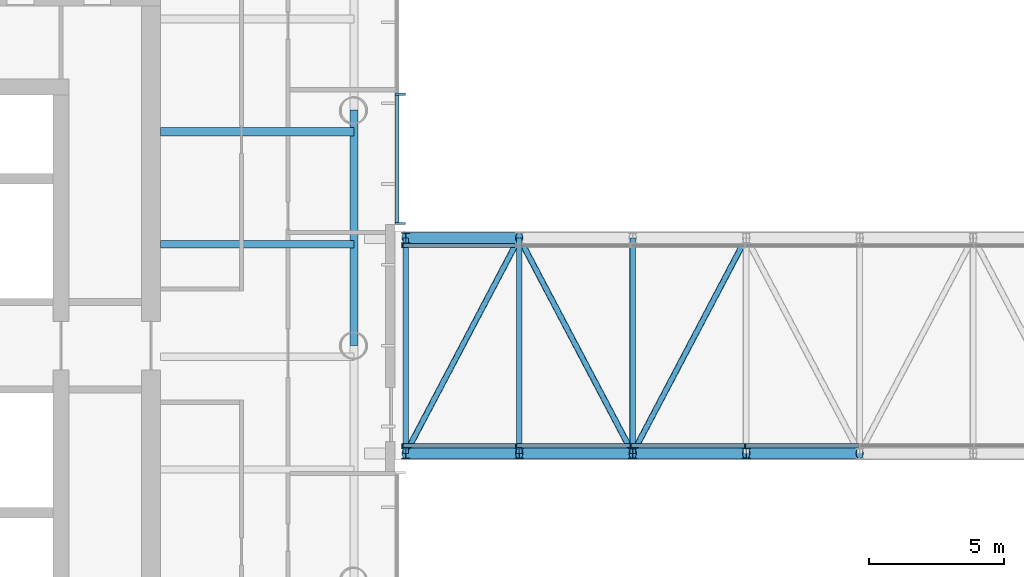
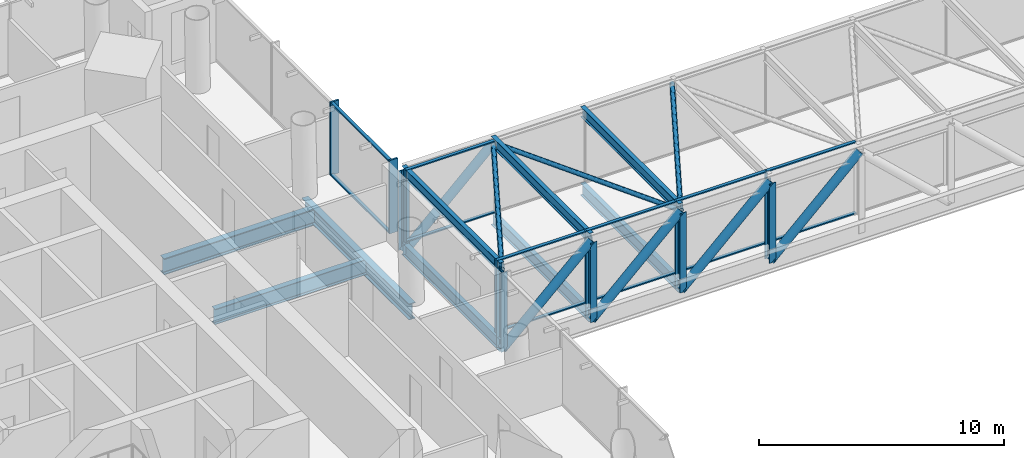
# One storey, part 3 of 19: 32 members, 9 beams, 3 elements without a shape of their own.
"""IFC4 building model written with IfcOpenShell, lengths in metres."""

import ifcopenshell
import ifcopenshell.guid

model = None  # the IFC model being written
_history = None  # IfcOwnerHistory: only IFC2X3 demands one
_inside = {}  # id of a spatial element -> (the spatial element, [elements in it])
_under = {}  # id of a project, library or spatial element -> (it, [spatial elements below it])
_declared = {}  # id of a project -> (the project, [libraries it declares])
_typed = {}  # id of a type object -> (the type object, [elements of that type])
_made_of = {}  # id of a material, layer set ... -> (it, [elements and type objects made of it])


def new_model(schema):
    """Start an empty IFC model of exactly this schema.

    Asked for "IFC4X3", IfcOpenShell would pick the latest addendum, in which some entities
    have other attributes; the version numbers below select the first issue.
    IFC2X3 requires an IfcOwnerHistory on every rooted entity: one is made here for all.
    """
    global model, _history
    if schema == "IFC4X3":
        model = ifcopenshell.file(schema_version=(4, 3, 0, 0))
    else:
        model = ifcopenshell.file(schema=schema)
    _inside.clear()
    _under.clear()
    _declared.clear()
    _typed.clear()
    _made_of.clear()
    _history = None
    if model.schema == "IFC2X3":
        org = make("IfcOrganization", Name="unknown")
        user = make(
            "IfcPersonAndOrganization",
            ThePerson=make("IfcPerson", FamilyName="unknown"),
            TheOrganization=org,
        )
        app = make(
            "IfcApplication",
            ApplicationDeveloper=org,
            Version="unknown",
            ApplicationFullName="unknown",
            ApplicationIdentifier="unknown",
        )
        _history = make(
            "IfcOwnerHistory",
            OwningUser=user,
            OwningApplication=app,
            ChangeAction="ADDED",
            CreationDate=0,
        )
    return model


def make(cls, **values):
    """One entity of the class cls with the attributes given. An attribute that is None is left unset."""
    return model.create_entity(
        cls, **{name: value for name, value in values.items() if value is not None}
    )


def rooted(cls, **values):
    """An entity with a GlobalId (a new one), such as an element, a storey or a relation."""
    return make(cls, GlobalId=ifcopenshell.guid.new(), OwnerHistory=_history, **values)


def si_unit(unit_type, name, prefix=None):
    """IfcSIUnit, for example si_unit("LENGTHUNIT", "METRE", prefix="MILLI")."""
    return make("IfcSIUnit", UnitType=unit_type, Prefix=prefix, Name=name)


def assignment(units):
    """IfcUnitAssignment: the units of a project."""
    return None if units is None else make("IfcUnitAssignment", Units=units)


def point(xyz):
    """IfcCartesianPoint."""
    return None if xyz is None else make("IfcCartesianPoint", Coordinates=xyz)


def direction(xyz):
    """IfcDirection."""
    return None if xyz is None else make("IfcDirection", DirectionRatios=xyz)


def frame(location, z_axis=None, x_axis=None):
    """IfcAxis2Placement3D, a coordinate frame: its origin and axes. An axis left out is left unset."""
    return make(
        "IfcAxis2Placement3D",
        Location=point(location),
        Axis=direction(z_axis),
        RefDirection=direction(x_axis),
    )


def frame_2d(location, x_axis=None):
    """IfcAxis2Placement2D, a coordinate frame in the plane: its origin and x axis."""
    return make(
        "IfcAxis2Placement2D", Location=point(location), RefDirection=direction(x_axis)
    )


def origin():
    """The frame at (0, 0, 0) with its axes left unset."""
    return frame((0.0, 0.0, 0.0))


def origin_2d():
    """The frame at (0, 0) in the plane with its x axis left unset."""
    return frame_2d((0.0, 0.0))


def place(relative_to, where):
    """IfcLocalPlacement: puts the frame where relative to a parent placement (None: the world)."""
    return make(
        "IfcLocalPlacement", PlacementRelTo=relative_to, RelativePlacement=where
    )


def context(
    kind, dimensions, precision=None, world=None, true_north=None, identifier=None
):
    """IfcGeometricRepresentationContext, for example the 3D "Model" context."""
    return make(
        "IfcGeometricRepresentationContext",
        ContextIdentifier=identifier,
        ContextType=kind,
        CoordinateSpaceDimension=dimensions,
        Precision=precision,
        WorldCoordinateSystem=world,
        TrueNorth=true_north,
    )


def subcontext(parent, identifier, kind, view, scale=None):
    """IfcGeometricRepresentationSubContext, for example "Body" below "Model"."""
    return make(
        "IfcGeometricRepresentationSubContext",
        ContextIdentifier=identifier,
        ContextType=kind,
        ParentContext=parent,
        TargetScale=scale,
        TargetView=view,
    )


def project(units=None, contexts=None):
    """IfcProject with its units and contexts."""
    return rooted(
        "IfcProject",
        Name="project",
        RepresentationContexts=contexts,
        UnitsInContext=assignment(units),
    )


def spatial(cls, under=None, at=None, **own):
    """A site, building, storey or space (cls), placed at a placement, below another one or the project."""
    s = rooted(cls, ObjectPlacement=at, **own)
    if under is not None:
        _under.setdefault(under.id(), (under, []))[1].append(s)
    return s


def profile(cls, at=None, kind="AREA", **sizes):
    """A parametric profile (cls). Its sizes go by their IFC names, for example OverallWidth=200.0."""
    return make(cls, ProfileType=kind, Position=at, **sizes)


def rectangle(**sizes):
    """IfcRectangleProfileDef."""
    return profile("IfcRectangleProfileDef", **sizes)


def hollow_circle(**sizes):
    """IfcCircleHollowProfileDef."""
    return profile("IfcCircleHollowProfileDef", **sizes)


def i_section(**sizes):
    """IfcIShapeProfileDef."""
    return profile("IfcIShapeProfileDef", **sizes)


def extrude(swept, where, along, depth):
    """IfcExtrudedAreaSolid: the profile swept, set in the frame where, extruded along a direction by depth."""
    return make(
        "IfcExtrudedAreaSolid",
        SweptArea=swept,
        Position=where,
        ExtrudedDirection=direction(along),
        Depth=depth,
    )


def shape(context_of_items, identifier, shape_type, items):
    """IfcShapeRepresentation: the items that make up one representation, for example the "Body"."""
    return make(
        "IfcShapeRepresentation",
        ContextOfItems=context_of_items,
        RepresentationIdentifier=identifier,
        RepresentationType=shape_type,
        Items=items,
    )


def material(Name=None, Category=None):
    """IfcMaterial."""
    return make("IfcMaterial", Name=Name, Category=Category)


def material_profile(
    of_material, cross_section, Name=None, Category=None, Priority=None
):
    """IfcMaterialProfile: a cross section and its material."""
    return make(
        "IfcMaterialProfile",
        Name=Name,
        Material=of_material,
        Profile=cross_section,
        Priority=Priority,
        Category=Category,
    )


def profile_set(profiles, Name=None, composite=None):
    """IfcMaterialProfileSet."""
    return make(
        "IfcMaterialProfileSet",
        Name=Name,
        MaterialProfiles=profiles,
        CompositeProfile=composite,
    )


def made_of(thing, what):
    """Note that an element or type object is made of a material, layer set ...; save() writes the relation."""
    if what is not None:
        _made_of.setdefault(what.id(), (what, []))[1].append(thing)
    return thing


def type_object(cls, material=None, **own):
    """A type object (cls), such as IfcWallType, which elements share."""
    return made_of(rooted(cls, **own), material)


def element(
    cls,
    number,
    at=None,
    inside=None,
    cuts=None,
    type_object=None,
    material=None,
    context=None,
    identifier="Body",
    shape_type=None,
    held_by="IfcProductDefinitionShape",
    body=None,
    shapes=None,
    **own,
):
    """One element of the class cls, such as IfcWall. Its Tag is "e" and its number.

    at: its placement. inside: the storey or other place that contains it. cuts: it is an
    opening in that element (IfcRelVoidsElement). A single representation is given by context,
    identifier, shape_type and body (its items); several are given by shapes. held_by: the class
    of the entity that holds the representations. save() writes the other relations.
    """
    e = rooted(cls, Tag="e%d" % number, ObjectPlacement=at, **own)
    if body is not None:
        shapes = [shape(context, identifier, shape_type, body)]
    if shapes is not None:
        e.Representation = make(held_by, Representations=shapes)
    if inside is not None:
        _inside.setdefault(inside.id(), (inside, []))[1].append(e)
    if cuts is not None:
        rooted(
            "IfcRelVoidsElement", RelatingBuildingElement=cuts, RelatedOpeningElement=e
        )
    if type_object is not None:
        _typed.setdefault(type_object.id(), (type_object, []))[1].append(e)
    return made_of(e, material)


def aggregate(whole, parts):
    """IfcRelAggregates: a whole, such as a stair, and the parts it consists of."""
    return rooted("IfcRelAggregates", RelatingObject=whole, RelatedObjects=parts)


def save(model, path):
    """Write the relations noted so far, then the file.

    IfcRelAggregates (storeys below a building ...), IfcRelContainedInSpatialStructure (elements
    in a storey), IfcRelDefinesByType, IfcRelAssociatesMaterial and IfcRelDeclares: one each for
    every whole, place, type object, material and project.
    """
    for whole, parts in _under.values():
        aggregate(whole, parts)
    for where, things in _inside.values():
        rooted(
            "IfcRelContainedInSpatialStructure",
            RelatedElements=things,
            RelatingStructure=where,
        )
    for kind, things in _typed.values():
        rooted("IfcRelDefinesByType", RelatedObjects=things, RelatingType=kind)
    for what, things in _made_of.values():
        rooted("IfcRelAssociatesMaterial", RelatedObjects=things, RelatingMaterial=what)
    for by, libraries in _declared.values():
        rooted("IfcRelDeclares", RelatingContext=by, RelatedDefinitions=libraries)
    model.write(path)


model = new_model("IFC4")

# Units and contexts
model_context = context("Model", 3, precision=1e-05, world=origin(), true_north=direction((0.0, 1.0)))
body_context = subcontext(model_context, "Body", "Model", "MODEL_VIEW")
ifc_project = project(units=[si_unit("LENGTHUNIT", "METRE"), si_unit("AREAUNIT", "SQUARE_METRE"), si_unit("VOLUMEUNIT", "CUBIC_METRE"), si_unit("PLANEANGLEUNIT", "RADIAN"), si_unit("MASSUNIT", "GRAM", prefix="KILO")], contexts=[model_context])

# Site, building, storey
site_placement = place(None, origin())
site = spatial("IfcSite", under=ifc_project, at=site_placement, CompositionType="ELEMENT")
building_placement = place(site_placement, origin())
building = spatial("IfcBuilding", under=site, at=building_placement, Name="Ostroluk Exchange", CompositionType="ELEMENT")
storey_placement = place(building_placement, frame((0.0, 0.0, 131.199951171875)))
storey = spatial("IfcBuildingStorey", under=building, at=storey_placement, Name="L33", CompositionType="ELEMENT", Elevation=131.199951171875)

# Beams
ifc_material_1 = material(Name="Steel S355", Category="steel")
ifc_material_profile_1 = material_profile(ifc_material_1, i_section(OverallWidth=0.199951171875, OverallDepth=0.5, WebThickness=0.01025390625, FlangeThickness=0.01611328125, FilletRadius=0.02099609375, at=origin_2d()), Name="IPE 500")
ifc_profile_set_1 = profile_set([ifc_material_profile_1], Name="Steel S355")
beam_type_1 = type_object("IfcBeamType", Name="Bridge cross beam IPE 500", PredefinedType="BEAM", material=ifc_profile_set_1)
for number, where, z_axis, x_axis, name in (
    (1, (67.39990234375, 42.0, 3.35009765625), (0.0, 1.0, 0.0), (-1.0, 0.0, 0.0), "BR2 roof cross beam 1"),
    (2, (71.612548828125, 42.0, 3.35009765625), (0.0, 1.0, 0.0), (-1.0, 0.0, 0.0), "BR2 roof cross beam 2"),
    (3, (75.824951171875, 42.0, 3.35009765625), (0.0, 1.0, 0.0), (-1.0, 0.0, 0.0), "BR2 roof cross beam 3"),
):
    element("IfcBeam", number, at=place(storey_placement, frame(where, z_axis=z_axis, x_axis=x_axis)), inside=storey, type_object=beam_type_1, Name=name, PredefinedType="BEAM", context=body_context, shape_type="SweptSolid", body=[
        extrude(i_section(OverallWidth=0.199951171875, OverallDepth=0.5, WebThickness=0.01025390625, FlangeThickness=0.01611328125, FilletRadius=0.02099609375, at=origin_2d()), origin(), (0.0, 0.0, 1.0), 8.0),
    ])
ifc_material_2 = material(Name="Steel S355", Category="steel")
ifc_material_profile_2 = material_profile(ifc_material_2, i_section(OverallWidth=0.219970703125, OverallDepth=0.60009765625, WebThickness=0.011962890625, FlangeThickness=0.01904296875, FilletRadius=0.02392578125, at=origin_2d()), Name="IPE 600")
ifc_profile_set_2 = profile_set([ifc_material_profile_2], Name="Steel S355")
beam_type_2 = type_object("IfcBeamType", Name="Bridge cross beam IPE 600", PredefinedType="BEAM", material=ifc_profile_set_2)
for number, where, z_axis, x_axis, name in (
    (4, (67.39990234375, 42.0, -0.5), (0.0, 1.0, 0.0), (-1.0, 0.0, 0.0), "BR2 deck cross beam 1"),
    (5, (71.612548828125, 42.0, -0.5), (0.0, 1.0, 0.0), (-1.0, 0.0, 0.0), "BR2 deck cross beam 2"),
    (6, (75.824951171875, 42.0, -0.5), (0.0, 1.0, 0.0), (-1.0, 0.0, 0.0), "BR2 deck cross beam 3"),
):
    element("IfcBeam", number, at=place(storey_placement, frame(where, z_axis=z_axis, x_axis=x_axis)), inside=storey, type_object=beam_type_2, Name=name, PredefinedType="BEAM", context=body_context, shape_type="SweptSolid", body=[
        extrude(i_section(OverallWidth=0.219970703125, OverallDepth=0.60009765625, WebThickness=0.011962890625, FlangeThickness=0.01904296875, FilletRadius=0.02392578125, at=origin_2d()), origin(), (0.0, 0.0, 1.0), 8.0),
    ])

# Curtain wall, members
ifc_material_3 = material(Name="Laminated clear glass", Category="glass")
curtain_wall_type_1 = type_object("IfcCurtainWallType", Name="Bridge glazing", PredefinedType="USERDEFINED", material=ifc_material_3)
curtain_wall_1_placement = place(storey_placement, origin())
curtain_wall_1 = element("IfcCurtainWall", 7, at=curtain_wall_1_placement, inside=storey, type_object=curtain_wall_type_1, Name="Sky garden bridge south glazing", ObjectType="STICK CURTAIN WALL", PredefinedType="USERDEFINED")
ifc_material_4 = material(Name="Aluminium mullion", Category="aluminium")
ifc_material_profile_3 = material_profile(ifc_material_4, rectangle(XDim=0.14990234375, YDim=0.06005859375, at=origin_2d()), Name="Bridge mullion 60 x 150")
ifc_profile_set_3 = profile_set([ifc_material_profile_3], Name="Aluminium mullion")
member_type_1 = type_object("IfcMemberType", Name="Bridge mullion 60 x 150", PredefinedType="MULLION", material=ifc_profile_set_3)
member_1_placement = place(storey_placement, frame((67.280029296875, 42.2900390625, 0.0), z_axis=(0.0, 0.0, 1.0), x_axis=(0.0, 1.0, 0.0)))
member_1 = element("IfcMember", 8, at=member_1_placement, type_object=member_type_1, Name="CW-BR1 mullion 1", PredefinedType="MULLION", context=body_context, shape_type="SweptSolid", body=[
    extrude(rectangle(XDim=0.14990234375, YDim=0.06005859375, at=origin_2d()), origin(), (0.0, 0.0, 1.0), 3.60009765625),
])
member_2_placement = place(storey_placement, frame((71.5, 42.2900390625, 0.0), z_axis=(0.0, 0.0, 1.0), x_axis=(0.0, 1.0, 0.0)))
member_2 = element("IfcMember", 9, at=member_2_placement, type_object=member_type_1, Name="CW-BR1 mullion 2", PredefinedType="MULLION", context=body_context, shape_type="SweptSolid", body=[
    extrude(rectangle(XDim=0.14990234375, YDim=0.06005859375, at=origin_2d()), origin(), (0.0, 0.0, 1.0), 3.60009765625),
])
member_3_placement = place(storey_placement, frame((75.75, 42.2900390625, 0.0), z_axis=(0.0, 0.0, 1.0), x_axis=(0.0, 1.0, 0.0)))
member_3 = element("IfcMember", 10, at=member_3_placement, type_object=member_type_1, Name="CW-BR1 mullion 3", PredefinedType="MULLION", context=body_context, shape_type="SweptSolid", body=[
    extrude(rectangle(XDim=0.14990234375, YDim=0.06005859375, at=origin_2d()), origin(), (0.0, 0.0, 1.0), 3.60009765625),
])
member_4_placement = place(storey_placement, frame((80.0, 42.2900390625, 0.0), z_axis=(0.0, 0.0, 1.0), x_axis=(0.0, 1.0, 0.0)))
member_4 = element("IfcMember", 11, at=member_4_placement, type_object=member_type_1, Name="CW-BR1 mullion 4", PredefinedType="MULLION", context=body_context, shape_type="SweptSolid", body=[
    extrude(rectangle(XDim=0.14990234375, YDim=0.06005859375, at=origin_2d()), origin(), (0.0, 0.0, 1.0), 3.60009765625),
])

# Curtain wall, member
curtain_wall_2_placement = place(storey_placement, origin())
curtain_wall_2 = element("IfcCurtainWall", 12, at=curtain_wall_2_placement, inside=storey, type_object=curtain_wall_type_1, Name="Sky garden bridge north glazing", ObjectType="STICK CURTAIN WALL", PredefinedType="USERDEFINED")
member_5_placement = place(storey_placement, frame((67.280029296875, 49.7099609375, 0.0), z_axis=(0.0, 0.0, 1.0), x_axis=(0.0, -1.0, 0.0)))
member_5 = element("IfcMember", 13, at=member_5_placement, type_object=member_type_1, Name="CW-BR1 mullion 9", PredefinedType="MULLION", context=body_context, shape_type="SweptSolid", body=[
    extrude(rectangle(XDim=0.14990234375, YDim=0.06005859375, at=origin_2d()), origin(), (0.0, 0.0, 1.0), 3.60009765625),
])

# Members
ifc_material_5 = material(Name="Steel S460", Category="steel")
ifc_material_profile_4 = material_profile(ifc_material_5, hollow_circle(Radius=0.109619140625, WallThickness=0.010009765625, at=origin_2d()), Name="CHS 219.1x10")
ifc_profile_set_4 = profile_set([ifc_material_profile_4], Name="Steel S460")
member_type_2 = type_object("IfcMemberType", Name="Bridge plan bracing CHS 219.1x10", PredefinedType="BRACE", material=ifc_profile_set_4)
for number, where, z_axis, x_axis, name in (
    (14, (67.39990234375, 42.0, 3.25), (0.465930052274, 0.88482155624, 0.0), (-0.88482155624, 0.465930052274, 0.0), "BR2 roof plan brace 1"),
    (15, (71.612548828125, 50.0, 3.25), (0.465908911283, -0.884832688358, 0.0), (0.884832688358, 0.465908911283, 0.0), "BR2 roof plan brace 2"),
    (16, (75.824951171875, 42.0, 3.25), (0.465930052274, 0.88482155624, 0.0), (-0.88482155624, 0.465930052274, 0.0), "BR2 roof plan brace 3"),
):
    element("IfcMember", number, at=place(storey_placement, frame(where, z_axis=z_axis, x_axis=x_axis)), inside=storey, type_object=member_type_2, Name=name, PredefinedType="BRACE", context=body_context, shape_type="SweptSolid", body=[
        extrude(hollow_circle(Radius=0.109619140625, WallThickness=0.010009765625, at=origin_2d()), origin(), (0.0, 0.0, 1.0), 9.041259765625),
    ])

# Member
ifc_material_6 = material(Name="Aluminium mullion", Category="aluminium")
ifc_material_profile_5 = material_profile(ifc_material_6, rectangle(XDim=0.14990234375, YDim=0.06005859375, at=origin_2d()), Name="Bridge transom 60 x 150")
ifc_profile_set_5 = profile_set([ifc_material_profile_5], Name="Aluminium mullion")
member_type_3 = type_object("IfcMemberType", Name="Bridge transom 60 x 150", PredefinedType="USERDEFINED", material=ifc_profile_set_5)
member_6_placement = place(storey_placement, frame((67.31005859375, 42.2900390625, 0.030029296875), z_axis=(1.0, 0.0, 0.0), x_axis=(0.0, 1.0, 0.0)))
member_6 = element("IfcMember", 17, at=member_6_placement, type_object=member_type_3, Name="CW-BR1 transom 1.1", ObjectType="TRANSOM", PredefinedType="USERDEFINED", context=body_context, shape_type="SweptSolid", body=[
    extrude(rectangle(XDim=0.14990234375, YDim=0.06005859375, at=origin_2d()), origin(), (0.0, 0.0, 1.0), 4.159912109375),
])

member_7_placement = place(storey_placement, frame((67.31005859375, 42.2900390625, 3.570068359375), z_axis=(1.0, 0.0, 0.0), x_axis=(0.0, 1.0, 0.0)))
member_7 = element("IfcMember", 18, at=member_7_placement, type_object=member_type_3, Name="CW-BR1 transom 1.2", ObjectType="TRANSOM", PredefinedType="USERDEFINED", context=body_context, shape_type="SweptSolid", body=[
    extrude(rectangle(XDim=0.14990234375, YDim=0.06005859375, at=origin_2d()), origin(), (0.0, 0.0, 1.0), 4.159912109375),
])

member_8_placement = place(storey_placement, frame((71.530029296875, 42.2900390625, 0.030029296875), z_axis=(1.0, 0.0, 0.0), x_axis=(0.0, 1.0, 0.0)))
member_8 = element("IfcMember", 19, at=member_8_placement, type_object=member_type_3, Name="CW-BR1 transom 2.1", ObjectType="TRANSOM", PredefinedType="USERDEFINED", context=body_context, shape_type="SweptSolid", body=[
    extrude(rectangle(XDim=0.14990234375, YDim=0.06005859375, at=origin_2d()), origin(), (0.0, 0.0, 1.0), 4.18994140625),
])

member_9_placement = place(storey_placement, frame((71.530029296875, 42.2900390625, 3.570068359375), z_axis=(1.0, 0.0, 0.0), x_axis=(0.0, 1.0, 0.0)))
member_9 = element("IfcMember", 20, at=member_9_placement, type_object=member_type_3, Name="CW-BR1 transom 2.2", ObjectType="TRANSOM", PredefinedType="USERDEFINED", context=body_context, shape_type="SweptSolid", body=[
    extrude(rectangle(XDim=0.14990234375, YDim=0.06005859375, at=origin_2d()), origin(), (0.0, 0.0, 1.0), 4.18994140625),
])

member_10_placement = place(storey_placement, frame((75.780029296875, 42.2900390625, 0.030029296875), z_axis=(1.0, 0.0, 0.0), x_axis=(0.0, 1.0, 0.0)))
member_10 = element("IfcMember", 21, at=member_10_placement, type_object=member_type_3, Name="CW-BR1 transom 3.1", ObjectType="TRANSOM", PredefinedType="USERDEFINED", context=body_context, shape_type="SweptSolid", body=[
    extrude(rectangle(XDim=0.14990234375, YDim=0.06005859375, at=origin_2d()), origin(), (0.0, 0.0, 1.0), 4.18994140625),
])

member_11_placement = place(storey_placement, frame((75.780029296875, 42.2900390625, 3.570068359375), z_axis=(1.0, 0.0, 0.0), x_axis=(0.0, 1.0, 0.0)))
member_11 = element("IfcMember", 22, at=member_11_placement, type_object=member_type_3, Name="CW-BR1 transom 3.2", ObjectType="TRANSOM", PredefinedType="USERDEFINED", context=body_context, shape_type="SweptSolid", body=[
    extrude(rectangle(XDim=0.14990234375, YDim=0.06005859375, at=origin_2d()), origin(), (0.0, 0.0, 1.0), 4.18994140625),
])

member_12_placement = place(storey_placement, frame((80.030029296875, 42.2900390625, 0.030029296875), z_axis=(1.0, 0.0, 0.0), x_axis=(0.0, 1.0, 0.0)))
member_12 = element("IfcMember", 23, at=member_12_placement, type_object=member_type_3, Name="CW-BR1 transom 4.1", ObjectType="TRANSOM", PredefinedType="USERDEFINED", context=body_context, shape_type="SweptSolid", body=[
    extrude(rectangle(XDim=0.14990234375, YDim=0.06005859375, at=origin_2d()), origin(), (0.0, 0.0, 1.0), 4.18994140625),
])

member_13_placement = place(storey_placement, frame((80.030029296875, 42.2900390625, 3.570068359375), z_axis=(1.0, 0.0, 0.0), x_axis=(0.0, 1.0, 0.0)))
member_13 = element("IfcMember", 24, at=member_13_placement, type_object=member_type_3, Name="CW-BR1 transom 4.2", ObjectType="TRANSOM", PredefinedType="USERDEFINED", context=body_context, shape_type="SweptSolid", body=[
    extrude(rectangle(XDim=0.14990234375, YDim=0.06005859375, at=origin_2d()), origin(), (0.0, 0.0, 1.0), 4.18994140625),
])

aggregate(curtain_wall_1, [member_1, member_2, member_3, member_4, member_6, member_7, member_8, member_9, member_10, member_11, member_12, member_13])

member_14_placement = place(storey_placement, frame((71.469970703125, 49.7099609375, 0.030029296875), z_axis=(-1.0, 0.0, 0.0), x_axis=(0.0, -1.0, 0.0)))
member_14 = element("IfcMember", 25, at=member_14_placement, type_object=member_type_3, Name="CW-BR1 transom 8.1", ObjectType="TRANSOM", PredefinedType="USERDEFINED", context=body_context, shape_type="SweptSolid", body=[
    extrude(rectangle(XDim=0.14990234375, YDim=0.06005859375, at=origin_2d()), origin(), (0.0, 0.0, 1.0), 4.159912109375),
])

member_15_placement = place(storey_placement, frame((71.469970703125, 49.7099609375, 3.570068359375), z_axis=(-1.0, 0.0, 0.0), x_axis=(0.0, -1.0, 0.0)))
member_15 = element("IfcMember", 26, at=member_15_placement, type_object=member_type_3, Name="CW-BR1 transom 8.2", ObjectType="TRANSOM", PredefinedType="USERDEFINED", context=body_context, shape_type="SweptSolid", body=[
    extrude(rectangle(XDim=0.14990234375, YDim=0.06005859375, at=origin_2d()), origin(), (0.0, 0.0, 1.0), 4.159912109375),
])

aggregate(curtain_wall_2, [member_5, member_14, member_15])

# Members
ifc_material_7 = material(Name="Steel S460", Category="steel")
ifc_material_profile_6 = material_profile(ifc_material_7, hollow_circle(Radius=0.203125, WallThickness=0.01611328125, at=origin_2d()), Name="CHS 406.4x16")
ifc_profile_set_6 = profile_set([ifc_material_profile_6], Name="Steel S460")
member_type_4 = type_object("IfcMemberType", Name="Bridge truss diagonal CHS 406.4x16", PredefinedType="BRACE", material=ifc_profile_set_6)
member_16_placement = place(storey_placement, frame((67.39990234375, 42.0, -0.7060546875), z_axis=(0.72895858284, 0.0, 0.684557802164), x_axis=(0.0, 1.0, 0.0)))
element("IfcMember", 27, at=member_16_placement, inside=storey, type_object=member_type_4, Name="BR2 S diagonal 1", PredefinedType="BRACE", context=body_context, shape_type="SweptSolid", body=[
    extrude(hollow_circle(Radius=0.203125, WallThickness=0.01611328125, at=origin_2d()), origin(), (0.0, 0.0, 1.0), 5.779052734375),
])
member_17_placement = place(storey_placement, frame((71.612548828125, 42.0, -0.7060546875), z_axis=(0.728938784526, 0.0, 0.684578883996), x_axis=(0.0, 1.0, 0.0)))
element("IfcMember", 28, at=member_17_placement, inside=storey, type_object=member_type_4, Name="BR2 S diagonal 2", PredefinedType="BRACE", context=body_context, shape_type="SweptSolid", body=[
    extrude(hollow_circle(Radius=0.203125, WallThickness=0.01611328125, at=origin_2d()), origin(), (0.0, 0.0, 1.0), 5.77880859375),
])
member_18_placement = place(storey_placement, frame((75.824951171875, 42.0, -0.7060546875), z_axis=(0.72895858284, 0.0, 0.684557802164), x_axis=(0.0, 1.0, 0.0)))
element("IfcMember", 29, at=member_18_placement, inside=storey, type_object=member_type_4, Name="BR2 S diagonal 3", PredefinedType="BRACE", context=body_context, shape_type="SweptSolid", body=[
    extrude(hollow_circle(Radius=0.203125, WallThickness=0.01611328125, at=origin_2d()), origin(), (0.0, 0.0, 1.0), 5.779052734375),
])
member_19_placement = place(storey_placement, frame((80.03759765625, 42.0, -0.7060546875), z_axis=(0.728938784526, 0.0, 0.684578883996), x_axis=(0.0, 1.0, 0.0)))
element("IfcMember", 30, at=member_19_placement, inside=storey, type_object=member_type_4, Name="BR2 S diagonal 4", PredefinedType="BRACE", context=body_context, shape_type="SweptSolid", body=[
    extrude(hollow_circle(Radius=0.203125, WallThickness=0.01611328125, at=origin_2d()), origin(), (0.0, 0.0, 1.0), 5.77880859375),
])
member_20_placement = place(storey_placement, frame((67.39990234375, 50.0, -0.7060546875), z_axis=(0.72895858284, 0.0, 0.684557802164), x_axis=(0.0, 1.0, 0.0)))
element("IfcMember", 31, at=member_20_placement, inside=storey, type_object=member_type_4, Name="BR2 N diagonal 1", PredefinedType="BRACE", context=body_context, shape_type="SweptSolid", body=[
    extrude(hollow_circle(Radius=0.203125, WallThickness=0.01611328125, at=origin_2d()), origin(), (0.0, 0.0, 1.0), 5.779052734375),
])
ifc_material_8 = material(Name="Steel S460", Category="steel")
ifc_material_profile_7 = material_profile(ifc_material_8, i_section(OverallWidth=0.300048828125, OverallDepth=0.39990234375, WebThickness=0.013427734375, FlangeThickness=0.02392578125, FilletRadius=0.027099609375, at=origin_2d()), Name="HEB 400")
ifc_profile_set_7 = profile_set([ifc_material_profile_7], Name="Steel S460")
member_type_5 = type_object("IfcMemberType", Name="Bridge truss post HEB 400", PredefinedType="POST", material=ifc_profile_set_7)
for number, where, z_axis, x_axis, name in (
    (32, (67.39990234375, 42.0, -0.7060546875), (0.0, 0.0, 1.0), (1.0, 0.0, 0.0), "BR2 S end post 1"),
    (33, (71.612548828125, 42.0, -0.7060546875), (0.0, 0.0, 1.0), (1.0, 0.0, 0.0), "BR2 S post 2"),
    (34, (75.824951171875, 42.0, -0.7060546875), (0.0, 0.0, 1.0), (1.0, 0.0, 0.0), "BR2 S post 3"),
    (35, (80.03759765625, 42.0, -0.7060546875), (0.0, 0.0, 1.0), (1.0, 0.0, 0.0), "BR2 S post 4"),
    (36, (67.39990234375, 50.0, -0.7060546875), (0.0, 0.0, 1.0), (1.0, 0.0, 0.0), "BR2 N end post 1"),
):
    element("IfcMember", number, at=place(storey_placement, frame(where, z_axis=z_axis, x_axis=x_axis)), inside=storey, type_object=member_type_5, Name=name, PredefinedType="POST", context=body_context, shape_type="SweptSolid", body=[
        extrude(i_section(OverallWidth=0.300048828125, OverallDepth=0.39990234375, WebThickness=0.013427734375, FlangeThickness=0.02392578125, FilletRadius=0.027099609375, at=origin_2d()), origin(), (0.0, 0.0, 1.0), 3.9560546875),
    ])

# Beams
ifc_material_9 = material(Name="Steel S355", Category="steel")
ifc_material_profile_8 = material_profile(ifc_material_9, i_section(OverallWidth=0.302978515625, OverallDepth=0.81396484375, WebThickness=0.02099609375, FlangeThickness=0.0400390625, FilletRadius=0.030029296875, at=origin_2d()), Name="HEM 800")
ifc_profile_set_8 = profile_set([ifc_material_profile_8], Name="Steel S355")
beam_type_3 = type_object("IfcBeamType", Name="Floor beam HEM 800", PredefinedType="BEAM", material=ifc_profile_set_8)
beam_1_placement = place(storey_placement, frame((58.300048828125, 53.94287109375, -0.5869140625), z_axis=(1.0, 0.0, 0.0), x_axis=(0.0, 1.0, 0.0)))
element("IfcBeam", 37, at=beam_1_placement, inside=storey, type_object=beam_type_3, Name="T1 east floor beam 5", PredefinedType="BEAM", context=body_context, shape_type="SweptSolid", body=[
    extrude(i_section(OverallWidth=0.302978515625, OverallDepth=0.81396484375, WebThickness=0.02099609375, FlangeThickness=0.0400390625, FilletRadius=0.030029296875, at=origin_2d()), origin(), (0.0, 0.0, 1.0), 7.178466796875),
])
ifc_material_10 = material(Name="Steel S355", Category="steel")
ifc_material_profile_9 = material_profile(ifc_material_10, i_section(OverallWidth=0.26708984375, OverallDepth=0.761962890625, WebThickness=0.014404296875, FlangeThickness=0.021484375, FilletRadius=0.01708984375, at=origin_2d()), Name="IPE 750x173")
ifc_profile_set_9 = profile_set([ifc_material_profile_9], Name="Steel S355")
beam_type_4 = type_object("IfcBeamType", Name="Floor beam IPE 750x173", PredefinedType="BEAM", material=ifc_profile_set_9)
beam_2_placement = place(storey_placement, frame((58.300048828125, 49.764404296875, -0.56103515625), z_axis=(1.0, 0.0, 0.0), x_axis=(0.0, 1.0, 0.0)))
element("IfcBeam", 38, at=beam_2_placement, inside=storey, type_object=beam_type_4, Name="T1 east floor beam 4", PredefinedType="BEAM", context=body_context, shape_type="SweptSolid", body=[
    extrude(i_section(OverallWidth=0.26708984375, OverallDepth=0.761962890625, WebThickness=0.014404296875, FlangeThickness=0.021484375, FilletRadius=0.01708984375, at=origin_2d()), origin(), (0.0, 0.0, 1.0), 7.178466796875),
])
ifc_material_11 = material(Name="Steel S355", Category="steel")
ifc_material_profile_10 = material_profile(ifc_material_11, i_section(OverallWidth=0.300048828125, OverallDepth=0.800048828125, WebThickness=0.017578125, FlangeThickness=0.032958984375, FilletRadius=0.030029296875, at=origin_2d()), Name="HEB 800")
ifc_profile_set_10 = profile_set([ifc_material_profile_10], Name="Steel S355")
beam_type_5 = type_object("IfcBeamType", Name="Moment-connected edge beam HEB 800", PredefinedType="SPANDREL", material=ifc_profile_set_10)
beam_3_placement = place(storey_placement, frame((65.478515625, 46.0, -0.579833984375), z_axis=(0.0, 1.0, 0.0), x_axis=(-1.0, 0.0, 0.0)))
element("IfcBeam", 39, at=beam_3_placement, inside=storey, type_object=beam_type_5, Name="T1 east edge beam 3", PredefinedType="SPANDREL", context=body_context, shape_type="SweptSolid", body=[
    extrude(i_section(OverallWidth=0.300048828125, OverallDepth=0.800048828125, WebThickness=0.017578125, FlangeThickness=0.032958984375, FilletRadius=0.030029296875, at=origin_2d()), origin(), (0.0, 0.0, 1.0), 8.7392578125),
])

# Curtain wall, members
ifc_material_12 = material(Name="Laminated clear glass", Category="glass")
curtain_wall_type_2 = type_object("IfcCurtainWallType", Name="Office tower facade", PredefinedType="USERDEFINED", material=ifc_material_12)
curtain_wall_3_placement = place(storey_placement, origin())
curtain_wall_3 = element("IfcCurtainWall", 40, at=curtain_wall_3_placement, inside=storey, type_object=curtain_wall_type_2, Name="Office tower east facade L33 part 2", ObjectType="UNITISED CURTAIN WALL", PredefinedType="USERDEFINED")
ifc_material_13 = material(Name="Aluminium mullion", Category="aluminium")
ifc_material_profile_11 = material_profile(ifc_material_13, rectangle(XDim=0.14990234375, YDim=0.080078125, at=origin_2d()), Name="Sill transom 80 x 150")
ifc_profile_set_11 = profile_set([ifc_material_profile_11], Name="Aluminium mullion")
member_type_6 = type_object("IfcMemberType", Name="Sill transom 80 x 150", PredefinedType="USERDEFINED", material=ifc_profile_set_11)
member_21_placement = place(storey_placement, frame((67.074951171875, 50.580078125, 0.0400390625), z_axis=(0.0, 1.0, 0.0), x_axis=(-1.0, 0.0, 0.0)))
member_21 = element("IfcMember", 41, at=member_21_placement, type_object=member_type_6, Name="CW-O1 transom 1.1", ObjectType="TRANSOM", PredefinedType="USERDEFINED", context=body_context, shape_type="SweptSolid", body=[
    extrude(rectangle(XDim=0.14990234375, YDim=0.080078125, at=origin_2d()), origin(), (0.0, 0.0, 1.0), 4.713134765625),
])
member_22_placement = place(storey_placement, frame((67.074951171875, 50.580078125, 3.610107421875), z_axis=(0.0, 1.0, 0.0), x_axis=(-1.0, 0.0, 0.0)))
member_22 = element("IfcMember", 42, at=member_22_placement, type_object=member_type_6, Name="CW-O1 transom 1.2", ObjectType="TRANSOM", PredefinedType="USERDEFINED", context=body_context, shape_type="SweptSolid", body=[
    extrude(rectangle(XDim=0.14990234375, YDim=0.080078125, at=origin_2d()), origin(), (0.0, 0.0, 1.0), 4.713134765625),
])
ifc_material_14 = material(Name="Aluminium mullion with limestone facing", Category="masonry")
ifc_material_profile_12 = material_profile(ifc_material_14, rectangle(XDim=0.39990234375, YDim=0.080078125, at=origin_2d()), Name="Tracery mullion 80 x 400")
ifc_profile_set_12 = profile_set([ifc_material_profile_12], Name="Aluminium mullion with limestone facing")
member_type_7 = type_object("IfcMemberType", Name="Tracery mullion 80 x 400", PredefinedType="MULLION", material=ifc_profile_set_12)
member_23_placement = place(storey_placement, frame((67.199951171875, 50.5400390625, 0.0), z_axis=(0.0, 0.0, 1.0), x_axis=(-1.0, 0.0, 0.0)))
member_23 = element("IfcMember", 43, at=member_23_placement, type_object=member_type_7, Name="CW-O1 mullion 1", PredefinedType="MULLION", context=body_context, shape_type="SweptSolid", body=[
    extrude(rectangle(XDim=0.39990234375, YDim=0.080078125, at=origin_2d()), origin(), (0.0, 0.0, 1.0), 3.650146484375),
])
member_24_placement = place(storey_placement, frame((67.199951171875, 55.333251953125, 0.0), z_axis=(0.0, 0.0, 1.0), x_axis=(-1.0, 0.0, 0.0)))
member_24 = element("IfcMember", 44, at=member_24_placement, type_object=member_type_7, Name="CW-O1 mullion 2", PredefinedType="MULLION", context=body_context, shape_type="SweptSolid", body=[
    extrude(rectangle(XDim=0.39990234375, YDim=0.080078125, at=origin_2d()), origin(), (0.0, 0.0, 1.0), 3.650146484375),
])
aggregate(curtain_wall_3, [member_23, member_24, member_21, member_22])

save(model, "model.ifc")
